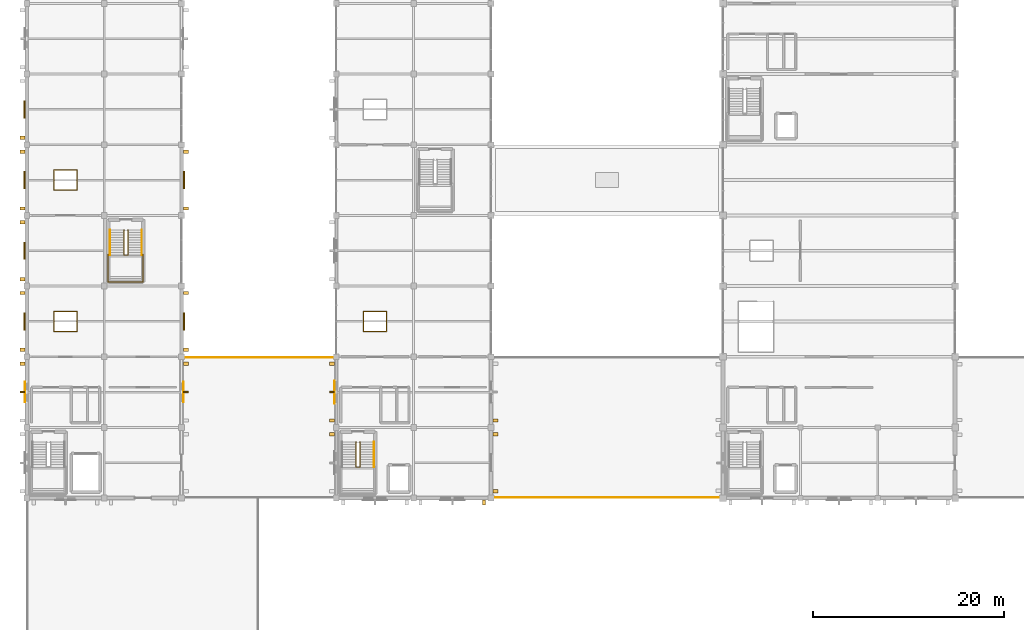
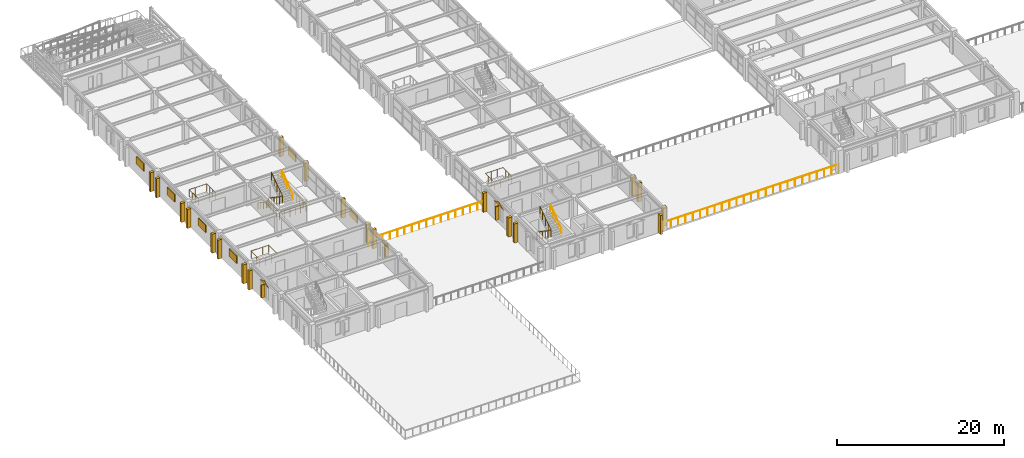
# One storey, part 112 of 121: 29 shading devices, 11 railings, 3 coverings.
"""IFC4 building model written with IfcOpenShell, lengths in metres."""

from ifc_helpers import new_model, si_unit, direction, frame, origin, origin_2d, place, context, subcontext, project, spatial, polyline, rectangle, circle, outline, extrude, material, layer, layer_set, type_object, element, save


model = new_model("IFC4")

# Units and contexts
model_context = context("Model", 3, precision=1e-05, world=origin(), true_north=direction((0.0, 1.0)))
body_context = subcontext(model_context, "Body", "Model", "MODEL_VIEW")
ifc_project = project(units=[si_unit("LENGTHUNIT", "METRE"), si_unit("AREAUNIT", "SQUARE_METRE"), si_unit("VOLUMEUNIT", "CUBIC_METRE"), si_unit("PLANEANGLEUNIT", "RADIAN"), si_unit("MASSUNIT", "GRAM", prefix="KILO")], contexts=[model_context])

# Site, building, storey
site_placement = place(None, origin())
site = spatial("IfcSite", under=ifc_project, at=site_placement, CompositionType="ELEMENT")
building_placement = place(site_placement, origin())
building = spatial("IfcBuilding", under=site, at=building_placement, Name="Cimatlan Art Gallery", CompositionType="ELEMENT")
storey_placement = place(building_placement, frame((0.0, 0.0, 10.199951171875)))
storey = spatial("IfcBuildingStorey", under=building, at=storey_placement, Name="L02", CompositionType="ELEMENT", Elevation=10.199951171875)

# Coverings
ifc_material_1 = material(Name="Queretaro cantera limestone ashlar hood-mould", Category="masonry")
ifc_layer = layer(ifc_material_1, 0.0419921875)
ifc_layer_set = layer_set([ifc_layer], Name="Queretaro cantera limestone ashlar hood-mould")
covering_type = type_object("IfcCoveringType", Name="COV-CLAD-CANTERA-42", PredefinedType="CLADDING", material=ifc_layer_set)
for number, where, z_axis, x_axis, name in (
    (1, (1.822021484375, 33.919921875, 2.489990234375), (1.0, 0.0, 0.0), (0.0, 1.0, 0.0), "CLD-040"),
    (2, (18.3779296875, 36.080078125, 2.489990234375), (-1.0, 0.0, 0.0), (0.0, -1.0, 0.0), "CLD-044"),
):
    element("IfcCovering", number, at=place(storey_placement, frame(where, z_axis=z_axis, x_axis=x_axis)), inside=storey, type_object=covering_type, Name=name, PredefinedType="CLADDING", context=body_context, shape_type="SweptSolid", body=[
        extrude(outline(polyline([(0.0, 0.0), (2.16015625, 0.0), (1.080078125, 0.52001953125), (0.0, 0.0)])), origin(), (0.0, 0.0, -1.0), 0.0419921875),
    ])
covering_placement = place(storey_placement, frame((34.221923828125, 33.800048828125, 2.630126953125), z_axis=(1.0, 0.0, 0.0), x_axis=(0.0, 1.0, 0.0)))
element("IfcCovering", 3, at=covering_placement, inside=storey, type_object=covering_type, Name="CLD-048", PredefinedType="CLADDING", context=body_context, shape_type="SweptSolid", body=[
    extrude(outline(polyline([(0.0, 0.0), (2.39990234375, 0.0), (1.199951171875, 0.52001953125), (0.0, 0.0)])), origin(), (0.0, 0.0, -1.0), 0.0419921875),
])

# Railings
ifc_material_2 = material(Name="Anodised bronze and laminated glass balustrade", Category="glass")
railing_type_1 = type_object("IfcRailingType", Name="RL-BAL-EXT-1100", PredefinedType="BALUSTRADE", material=ifc_material_2)
railing_1_placement = place(storey_placement, frame((18.239990234375, 38.6201171875, 0.0)))
element("IfcRailing", 4, at=railing_1_placement, inside=storey, type_object=railing_type_1, Name="GR-TER-07", PredefinedType="BALUSTRADE", context=body_context, shape_type="SweptSolid", body=[
    extrude(circle(Radius=0.02587890625, at=origin_2d()), frame((0.0, 0.0, 1.09423828125), z_axis=(1.0, 0.0, 0.0), x_axis=(0.0, 1.0, 0.0)), (0.0, 0.0, 1.0), 16.1201171875),
    extrude(circle(Radius=0.02099609375, at=origin_2d()), origin(), (0.0, 0.0, 1.0), 1.068115234375),
    extrude(circle(Radius=0.02099609375, at=origin_2d()), frame((1.007568359375, 0.0, 0.0)), (0.0, 0.0, 1.0), 1.068115234375),
    extrude(circle(Radius=0.02099609375, at=origin_2d()), frame((2.01513671875, 0.0, 0.0)), (0.0, 0.0, 1.0), 1.068115234375),
    extrude(circle(Radius=0.02099609375, at=origin_2d()), frame((3.0224609375, 0.0, 0.0)), (0.0, 0.0, 1.0), 1.068115234375),
    extrude(circle(Radius=0.02099609375, at=origin_2d()), frame((4.030029296875, 0.0, 0.0)), (0.0, 0.0, 1.0), 1.068115234375),
    extrude(circle(Radius=0.02099609375, at=origin_2d()), frame((5.03759765625, 0.0, 0.0)), (0.0, 0.0, 1.0), 1.068115234375),
    extrude(circle(Radius=0.02099609375, at=origin_2d()), frame((6.044921875, 0.0, 0.0)), (0.0, 0.0, 1.0), 1.068115234375),
    extrude(circle(Radius=0.02099609375, at=origin_2d()), frame((7.052490234375, 0.0, 0.0)), (0.0, 0.0, 1.0), 1.068115234375),
    extrude(circle(Radius=0.02099609375, at=origin_2d()), frame((8.06005859375, 0.0, 0.0)), (0.0, 0.0, 1.0), 1.068115234375),
    extrude(circle(Radius=0.02099609375, at=origin_2d()), frame((9.067626953125, 0.0, 0.0)), (0.0, 0.0, 1.0), 1.068115234375),
    extrude(circle(Radius=0.02099609375, at=origin_2d()), frame((10.0751953125, 0.0, 0.0)), (0.0, 0.0, 1.0), 1.068115234375),
    extrude(circle(Radius=0.02099609375, at=origin_2d()), frame((11.08251953125, 0.0, 0.0)), (0.0, 0.0, 1.0), 1.068115234375),
    extrude(circle(Radius=0.02099609375, at=origin_2d()), frame((12.090087890625, 0.0, 0.0)), (0.0, 0.0, 1.0), 1.068115234375),
    extrude(circle(Radius=0.02099609375, at=origin_2d()), frame((13.09765625, 0.0, 0.0)), (0.0, 0.0, 1.0), 1.068115234375),
    extrude(circle(Radius=0.02099609375, at=origin_2d()), frame((14.10498046875, 0.0, 0.0)), (0.0, 0.0, 1.0), 1.068115234375),
    extrude(circle(Radius=0.02099609375, at=origin_2d()), frame((15.112548828125, 0.0, 0.0)), (0.0, 0.0, 1.0), 1.068115234375),
    extrude(circle(Radius=0.02099609375, at=origin_2d()), frame((16.1201171875, 0.0, 0.0)), (0.0, 0.0, 1.0), 1.068115234375),
])
railing_2_placement = place(storey_placement, frame((50.639892578125, 23.97998046875, 0.0)))
element("IfcRailing", 5, at=railing_2_placement, inside=storey, type_object=railing_type_1, Name="GR-TER-08", PredefinedType="BALUSTRADE", context=body_context, shape_type="SweptSolid", body=[
    extrude(circle(Radius=0.02587890625, at=origin_2d()), frame((0.0, 0.0, 1.09423828125), z_axis=(1.0, 0.0, 0.0), x_axis=(0.0, 1.0, 0.0)), (0.0, 0.0, 1.0), 24.22021484375),
    extrude(circle(Radius=0.02099609375, at=origin_2d()), origin(), (0.0, 0.0, 1.0), 1.068115234375),
    extrude(circle(Radius=0.02099609375, at=origin_2d()), frame((1.00927734375, 0.0, 0.0)), (0.0, 0.0, 1.0), 1.068115234375),
    extrude(circle(Radius=0.02099609375, at=origin_2d()), frame((2.018310546875, 0.0, 0.0)), (0.0, 0.0, 1.0), 1.068115234375),
    extrude(circle(Radius=0.02099609375, at=origin_2d()), frame((3.027587890625, 0.0, 0.0)), (0.0, 0.0, 1.0), 1.068115234375),
    extrude(circle(Radius=0.02099609375, at=origin_2d()), frame((4.03662109375, 0.0, 0.0)), (0.0, 0.0, 1.0), 1.068115234375),
    extrude(circle(Radius=0.02099609375, at=origin_2d()), frame((5.0458984375, 0.0, 0.0)), (0.0, 0.0, 1.0), 1.068115234375),
    extrude(circle(Radius=0.02099609375, at=origin_2d()), frame((6.05517578125, 0.0, 0.0)), (0.0, 0.0, 1.0), 1.068115234375),
    extrude(circle(Radius=0.02099609375, at=origin_2d()), frame((7.064208984375, 0.0, 0.0)), (0.0, 0.0, 1.0), 1.068115234375),
    extrude(circle(Radius=0.02099609375, at=origin_2d()), frame((8.073486328125, 0.0, 0.0)), (0.0, 0.0, 1.0), 1.068115234375),
    extrude(circle(Radius=0.02099609375, at=origin_2d()), frame((9.08251953125, 0.0, 0.0)), (0.0, 0.0, 1.0), 1.068115234375),
    extrude(circle(Radius=0.02099609375, at=origin_2d()), frame((10.091796875, 0.0, 0.0)), (0.0, 0.0, 1.0), 1.068115234375),
    extrude(circle(Radius=0.02099609375, at=origin_2d()), frame((11.100830078125, 0.0, 0.0)), (0.0, 0.0, 1.0), 1.068115234375),
    extrude(circle(Radius=0.02099609375, at=origin_2d()), frame((12.110107421875, 0.0, 0.0)), (0.0, 0.0, 1.0), 1.068115234375),
    extrude(circle(Radius=0.02099609375, at=origin_2d()), frame((13.119384765625, 0.0, 0.0)), (0.0, 0.0, 1.0), 1.068115234375),
    extrude(circle(Radius=0.02099609375, at=origin_2d()), frame((14.12841796875, 0.0, 0.0)), (0.0, 0.0, 1.0), 1.068115234375),
    extrude(circle(Radius=0.02099609375, at=origin_2d()), frame((15.1376953125, 0.0, 0.0)), (0.0, 0.0, 1.0), 1.068115234375),
    extrude(circle(Radius=0.02099609375, at=origin_2d()), frame((16.146728515625, 0.0, 0.0)), (0.0, 0.0, 1.0), 1.068115234375),
    extrude(circle(Radius=0.02099609375, at=origin_2d()), frame((17.156005859375, 0.0, 0.0)), (0.0, 0.0, 1.0), 1.068115234375),
    extrude(circle(Radius=0.02099609375, at=origin_2d()), frame((18.1650390625, 0.0, 0.0)), (0.0, 0.0, 1.0), 1.068115234375),
    extrude(circle(Radius=0.02099609375, at=origin_2d()), frame((19.17431640625, 0.0, 0.0)), (0.0, 0.0, 1.0), 1.068115234375),
    extrude(circle(Radius=0.02099609375, at=origin_2d()), frame((20.18359375, 0.0, 0.0)), (0.0, 0.0, 1.0), 1.068115234375),
    extrude(circle(Radius=0.02099609375, at=origin_2d()), frame((21.192626953125, 0.0, 0.0)), (0.0, 0.0, 1.0), 1.068115234375),
    extrude(circle(Radius=0.02099609375, at=origin_2d()), frame((22.201904296875, 0.0, 0.0)), (0.0, 0.0, 1.0), 1.068115234375),
    extrude(circle(Radius=0.02099609375, at=origin_2d()), frame((23.2109375, 0.0, 0.0)), (0.0, 0.0, 1.0), 1.068115234375),
    extrude(circle(Radius=0.02099609375, at=origin_2d()), frame((24.22021484375, 0.0, 0.0)), (0.0, 0.0, 1.0), 1.068115234375),
])
ifc_material_3 = material(Name="Painted steel and bronze interior balustrade", Category="steel")
railing_type_2 = type_object("IfcRailingType", Name="RL-BAL-INT-1120", PredefinedType="BALUSTRADE", material=ifc_material_3)
railing_3_placement = place(storey_placement, frame((36.469970703125, 29.780029296875, 0.0)))
element("IfcRailing", 6, at=railing_3_placement, inside=storey, type_object=railing_type_2, Name="STR-C2-L02-GRD", PredefinedType="BALUSTRADE", context=body_context, shape_type="SweptSolid", body=[
    extrude(circle(Radius=0.02392578125, at=origin_2d()), frame((0.0, 0.0, 1.09619140625), z_axis=(0.0, -0.827224042694, 0.561872212509), x_axis=(1.0, 0.0, 0.0)), (0.0, 0.0, 1.0), 3.20361328125),
    extrude(circle(Radius=0.02392578125, at=origin_2d()), frame((0.0, -2.650146484375, 2.89599609375), z_axis=(1.0, 0.0, 0.0), x_axis=(0.0, 1.0, 0.0)), (0.0, 0.0, 1.0), 0.400146484375),
    extrude(circle(Radius=0.02392578125, at=origin_2d()), frame((0.400146484375, -2.650146484375, 2.89599609375), z_axis=(0.0, 0.827224042694, 0.561872212509), x_axis=(-1.0, 0.0, 0.0)), (0.0, 0.0, 1.0), 3.20361328125),
    extrude(circle(Radius=0.02001953125, at=origin_2d()), origin(), (0.0, 0.0, 1.0), 1.072021484375),
    extrude(circle(Radius=0.02001953125, at=origin_2d()), frame((0.0, -0.66259765625, 0.449951171875)), (0.0, 0.0, 1.0), 1.072021484375),
    extrude(circle(Radius=0.02001953125, at=origin_2d()), frame((0.0, -1.3251953125, 0.89990234375)), (0.0, 0.0, 1.0), 1.072021484375),
    extrude(circle(Radius=0.02001953125, at=origin_2d()), frame((0.0, -1.987548828125, 1.35009765625)), (0.0, 0.0, 1.0), 1.072021484375),
    extrude(circle(Radius=0.02001953125, at=origin_2d()), frame((0.0, -2.650146484375, 1.800048828125)), (0.0, 0.0, 1.0), 1.072021484375),
    extrude(circle(Radius=0.02001953125, at=origin_2d()), frame((0.400146484375, -2.650146484375, 1.800048828125)), (0.0, 0.0, 1.0), 1.072021484375),
    extrude(circle(Radius=0.02001953125, at=origin_2d()), frame((0.400146484375, -1.987548828125, 2.25)), (0.0, 0.0, 1.0), 1.072021484375),
    extrude(circle(Radius=0.02001953125, at=origin_2d()), frame((0.400146484375, -1.3251953125, 2.7001953125)), (0.0, 0.0, 1.0), 1.072021484375),
    extrude(circle(Radius=0.02001953125, at=origin_2d()), frame((0.400146484375, -0.66259765625, 3.150146484375)), (0.0, 0.0, 1.0), 1.072021484375),
    extrude(circle(Radius=0.02001953125, at=origin_2d()), frame((0.400146484375, 0.0, 3.60009765625)), (0.0, 0.0, 1.0), 1.072021484375),
])
railing_4_placement = place(storey_placement, frame((10.510009765625, 49.43994140625, 1.800048828125)))
element("IfcRailing", 7, at=railing_4_placement, inside=storey, type_object=railing_type_2, Name="STR-C7-L02-LGRD", PredefinedType="BALUSTRADE", context=body_context, shape_type="SweptSolid", body=[
    extrude(circle(Radius=0.02392578125, at=origin_2d()), frame((0.0, 0.0, 1.09619140625), z_axis=(0.0, -1.0, 0.0), x_axis=(1.0, 0.0, 0.0)), (0.0, 0.0, 1.0), 2.929931640625),
    extrude(circle(Radius=0.02392578125, at=origin_2d()), frame((0.0, -2.929931640625, 1.09619140625), z_axis=(1.0, 0.0, 0.0), x_axis=(0.0, 1.0, 0.0)), (0.0, 0.0, 1.0), 3.669921875),
    extrude(circle(Radius=0.02392578125, at=origin_2d()), frame((3.669921875, -2.929931640625, 1.09619140625), z_axis=(0.0, 1.0, 0.0), x_axis=(-1.0, 0.0, 0.0)), (0.0, 0.0, 1.0), 2.929931640625),
    extrude(circle(Radius=0.02001953125, at=origin_2d()), origin(), (0.0, 0.0, 1.0), 1.072021484375),
    extrude(circle(Radius=0.02001953125, at=origin_2d()), frame((0.0, -0.732421875, 0.0)), (0.0, 0.0, 1.0), 1.072021484375),
    extrude(circle(Radius=0.02001953125, at=origin_2d()), frame((0.0, -1.46484375, 0.0)), (0.0, 0.0, 1.0), 1.072021484375),
    extrude(circle(Radius=0.02001953125, at=origin_2d()), frame((0.0, -2.197509765625, 0.0)), (0.0, 0.0, 1.0), 1.072021484375),
    extrude(circle(Radius=0.02001953125, at=origin_2d()), frame((0.0, -2.929931640625, 0.0)), (0.0, 0.0, 1.0), 1.072021484375),
    extrude(circle(Radius=0.02001953125, at=origin_2d()), frame((0.73388671875, -2.929931640625, 0.0)), (0.0, 0.0, 1.0), 1.072021484375),
    extrude(circle(Radius=0.02001953125, at=origin_2d()), frame((1.468017578125, -2.929931640625, 0.0)), (0.0, 0.0, 1.0), 1.072021484375),
    extrude(circle(Radius=0.02001953125, at=origin_2d()), frame((2.201904296875, -2.929931640625, 0.0)), (0.0, 0.0, 1.0), 1.072021484375),
    extrude(circle(Radius=0.02001953125, at=origin_2d()), frame((2.93603515625, -2.929931640625, 0.0)), (0.0, 0.0, 1.0), 1.072021484375),
    extrude(circle(Radius=0.02001953125, at=origin_2d()), frame((3.669921875, -2.929931640625, 0.0)), (0.0, 0.0, 1.0), 1.072021484375),
    extrude(circle(Radius=0.02001953125, at=origin_2d()), frame((3.669921875, -2.197509765625, 0.0)), (0.0, 0.0, 1.0), 1.072021484375),
    extrude(circle(Radius=0.02001953125, at=origin_2d()), frame((3.669921875, -1.46484375, 0.0)), (0.0, 0.0, 1.0), 1.072021484375),
    extrude(circle(Radius=0.02001953125, at=origin_2d()), frame((3.669921875, -0.732421875, 0.0)), (0.0, 0.0, 1.0), 1.072021484375),
    extrude(circle(Radius=0.02001953125, at=origin_2d()), frame((3.669921875, 0.0, 0.0)), (0.0, 0.0, 1.0), 1.072021484375),
])
railing_5_placement = place(storey_placement, frame((12.169921875, 51.97998046875, 0.0)))
element("IfcRailing", 8, at=railing_5_placement, inside=storey, type_object=railing_type_2, Name="STR-C7-L02-GRD", PredefinedType="BALUSTRADE", context=body_context, shape_type="SweptSolid", body=[
    extrude(circle(Radius=0.02392578125, at=origin_2d()), frame((0.0, 0.0, 1.09619140625), z_axis=(0.0, -0.827199981925, 0.561907634672), x_axis=(1.0, 0.0, 0.0)), (0.0, 0.0, 1.0), 3.203369140625),
    extrude(circle(Radius=0.02392578125, at=origin_2d()), frame((0.0, -2.64990234375, 2.89599609375), z_axis=(1.0, 0.0, 0.0), x_axis=(0.0, 1.0, 0.0)), (0.0, 0.0, 1.0), 0.400146484375),
    extrude(circle(Radius=0.02392578125, at=origin_2d()), frame((0.400146484375, -2.64990234375, 2.89599609375), z_axis=(0.0, 0.827199981925, 0.561907634672), x_axis=(-1.0, 0.0, 0.0)), (0.0, 0.0, 1.0), 3.203369140625),
    extrude(circle(Radius=0.02001953125, at=origin_2d()), origin(), (0.0, 0.0, 1.0), 1.072021484375),
    extrude(circle(Radius=0.02001953125, at=origin_2d()), frame((0.0, -0.66259765625, 0.449951171875)), (0.0, 0.0, 1.0), 1.072021484375),
    extrude(circle(Radius=0.02001953125, at=origin_2d()), frame((0.0, -1.324951171875, 0.89990234375)), (0.0, 0.0, 1.0), 1.072021484375),
    extrude(circle(Radius=0.02001953125, at=origin_2d()), frame((0.0, -1.9873046875, 1.35009765625)), (0.0, 0.0, 1.0), 1.072021484375),
    extrude(circle(Radius=0.02001953125, at=origin_2d()), frame((0.0, -2.64990234375, 1.800048828125)), (0.0, 0.0, 1.0), 1.072021484375),
    extrude(circle(Radius=0.02001953125, at=origin_2d()), frame((0.400146484375, -2.64990234375, 1.800048828125)), (0.0, 0.0, 1.0), 1.072021484375),
    extrude(circle(Radius=0.02001953125, at=origin_2d()), frame((0.400146484375, -1.9873046875, 2.25)), (0.0, 0.0, 1.0), 1.072021484375),
    extrude(circle(Radius=0.02001953125, at=origin_2d()), frame((0.400146484375, -1.324951171875, 2.7001953125)), (0.0, 0.0, 1.0), 1.072021484375),
    extrude(circle(Radius=0.02001953125, at=origin_2d()), frame((0.400146484375, -0.66259765625, 3.150146484375)), (0.0, 0.0, 1.0), 1.072021484375),
    extrude(circle(Radius=0.02001953125, at=origin_2d()), frame((0.400146484375, 0.0, 3.60009765625)), (0.0, 0.0, 1.0), 1.072021484375),
])
railing_6_placement = place(storey_placement, frame((4.840087890625, 41.340087890625, 0.0)))
element("IfcRailing", 9, at=railing_6_placement, inside=storey, type_object=railing_type_2, Name="GR-OCU-L02-B1S", PredefinedType="BALUSTRADE", context=body_context, shape_type="SweptSolid", body=[
    extrude(circle(Radius=0.02392578125, at=origin_2d()), frame((0.0, 0.0, 1.09619140625), z_axis=(1.0, 0.0, 0.0), x_axis=(0.0, 1.0, 0.0)), (0.0, 0.0, 1.0), 2.419921875),
    extrude(circle(Radius=0.02392578125, at=origin_2d()), frame((2.419921875, 0.0, 1.09619140625), z_axis=(0.0, 1.0, 0.0), x_axis=(-1.0, 0.0, 0.0)), (0.0, 0.0, 1.0), 2.119873046875),
    extrude(circle(Radius=0.02392578125, at=origin_2d()), frame((2.419921875, 2.119873046875, 1.09619140625), z_axis=(-1.0, 0.0, 0.0), x_axis=(0.0, -1.0, 0.0)), (0.0, 0.0, 1.0), 2.419921875),
    extrude(circle(Radius=0.02392578125, at=origin_2d()), frame((0.0, 2.119873046875, 1.09619140625), z_axis=(0.0, -1.0, 0.0), x_axis=(1.0, 0.0, 0.0)), (0.0, 0.0, 1.0), 2.080078125),
    extrude(circle(Radius=0.02001953125, at=origin_2d()), origin(), (0.0, 0.0, 1.0), 1.072021484375),
    extrude(circle(Radius=0.02001953125, at=origin_2d()), frame((0.806640625, 0.0, 0.0)), (0.0, 0.0, 1.0), 1.072021484375),
    extrude(circle(Radius=0.02001953125, at=origin_2d()), frame((1.61328125, 0.0, 0.0)), (0.0, 0.0, 1.0), 1.072021484375),
    extrude(circle(Radius=0.02001953125, at=origin_2d()), frame((2.419921875, 0.0, 0.0)), (0.0, 0.0, 1.0), 1.072021484375),
    extrude(circle(Radius=0.02001953125, at=origin_2d()), frame((2.419921875, 0.70654296875, 0.0)), (0.0, 0.0, 1.0), 1.072021484375),
    extrude(circle(Radius=0.02001953125, at=origin_2d()), frame((2.419921875, 1.413330078125, 0.0)), (0.0, 0.0, 1.0), 1.072021484375),
    extrude(circle(Radius=0.02001953125, at=origin_2d()), frame((2.419921875, 2.119873046875, 0.0)), (0.0, 0.0, 1.0), 1.072021484375),
    extrude(circle(Radius=0.02001953125, at=origin_2d()), frame((1.61328125, 2.119873046875, 0.0)), (0.0, 0.0, 1.0), 1.072021484375),
    extrude(circle(Radius=0.02001953125, at=origin_2d()), frame((0.806640625, 2.119873046875, 0.0)), (0.0, 0.0, 1.0), 1.072021484375),
    extrude(circle(Radius=0.02001953125, at=origin_2d()), frame((0.0, 2.119873046875, 0.0)), (0.0, 0.0, 1.0), 1.072021484375),
    extrude(circle(Radius=0.02001953125, at=origin_2d()), frame((0.0, 1.426513671875, 0.0)), (0.0, 0.0, 1.0), 1.072021484375),
    extrude(circle(Radius=0.02001953125, at=origin_2d()), frame((0.0, 0.733154296875, 0.0)), (0.0, 0.0, 1.0), 1.072021484375),
    extrude(circle(Radius=0.02001953125, at=origin_2d()), frame((0.0, 0.039794921875, 0.0)), (0.0, 0.0, 1.0), 1.072021484375),
])
railing_7_placement = place(storey_placement, frame((4.840087890625, 56.139892578125, 0.0)))
element("IfcRailing", 10, at=railing_7_placement, inside=storey, type_object=railing_type_2, Name="GR-OCU-L02-B1N", PredefinedType="BALUSTRADE", context=body_context, shape_type="SweptSolid", body=[
    extrude(circle(Radius=0.02392578125, at=origin_2d()), frame((0.0, 0.0, 1.09619140625), z_axis=(1.0, 0.0, 0.0), x_axis=(0.0, 1.0, 0.0)), (0.0, 0.0, 1.0), 2.419921875),
    extrude(circle(Radius=0.02392578125, at=origin_2d()), frame((2.419921875, 0.0, 1.09619140625), z_axis=(0.0, 1.0, 0.0), x_axis=(-1.0, 0.0, 0.0)), (0.0, 0.0, 1.0), 2.1201171875),
    extrude(circle(Radius=0.02392578125, at=origin_2d()), frame((2.419921875, 2.1201171875, 1.09619140625), z_axis=(-1.0, 0.0, 0.0), x_axis=(0.0, -1.0, 0.0)), (0.0, 0.0, 1.0), 2.419921875),
    extrude(circle(Radius=0.02392578125, at=origin_2d()), frame((0.0, 2.1201171875, 1.09619140625), z_axis=(0.0, -1.0, 0.0), x_axis=(1.0, 0.0, 0.0)), (0.0, 0.0, 1.0), 2.080078125),
    extrude(circle(Radius=0.02001953125, at=origin_2d()), origin(), (0.0, 0.0, 1.0), 1.072021484375),
    extrude(circle(Radius=0.02001953125, at=origin_2d()), frame((0.806640625, 0.0, 0.0)), (0.0, 0.0, 1.0), 1.072021484375),
    extrude(circle(Radius=0.02001953125, at=origin_2d()), frame((1.61328125, 0.0, 0.0)), (0.0, 0.0, 1.0), 1.072021484375),
    extrude(circle(Radius=0.02001953125, at=origin_2d()), frame((2.419921875, 0.0, 0.0)), (0.0, 0.0, 1.0), 1.072021484375),
    extrude(circle(Radius=0.02001953125, at=origin_2d()), frame((2.419921875, 0.706787109375, 0.0)), (0.0, 0.0, 1.0), 1.072021484375),
    extrude(circle(Radius=0.02001953125, at=origin_2d()), frame((2.419921875, 1.413330078125, 0.0)), (0.0, 0.0, 1.0), 1.072021484375),
    extrude(circle(Radius=0.02001953125, at=origin_2d()), frame((2.419921875, 2.1201171875, 0.0)), (0.0, 0.0, 1.0), 1.072021484375),
    extrude(circle(Radius=0.02001953125, at=origin_2d()), frame((1.61328125, 2.1201171875, 0.0)), (0.0, 0.0, 1.0), 1.072021484375),
    extrude(circle(Radius=0.02001953125, at=origin_2d()), frame((0.806640625, 2.1201171875, 0.0)), (0.0, 0.0, 1.0), 1.072021484375),
    extrude(circle(Radius=0.02001953125, at=origin_2d()), frame((0.0, 2.1201171875, 0.0)), (0.0, 0.0, 1.0), 1.072021484375),
    extrude(circle(Radius=0.02001953125, at=origin_2d()), frame((0.0, 1.4267578125, 0.0)), (0.0, 0.0, 1.0), 1.072021484375),
    extrude(circle(Radius=0.02001953125, at=origin_2d()), frame((0.0, 0.7333984375, 0.0)), (0.0, 0.0, 1.0), 1.072021484375),
    extrude(circle(Radius=0.02001953125, at=origin_2d()), frame((0.0, 0.0400390625, 0.0)), (0.0, 0.0, 1.0), 1.072021484375),
])
railing_8_placement = place(storey_placement, frame((37.239990234375, 41.340087890625, 0.0)))
element("IfcRailing", 11, at=railing_8_placement, inside=storey, type_object=railing_type_2, Name="GR-OCU-L02-B2S", PredefinedType="BALUSTRADE", context=body_context, shape_type="SweptSolid", body=[
    extrude(circle(Radius=0.02392578125, at=origin_2d()), frame((0.0, 0.0, 1.09619140625), z_axis=(1.0, 0.0, 0.0), x_axis=(0.0, 1.0, 0.0)), (0.0, 0.0, 1.0), 2.419921875),
    extrude(circle(Radius=0.02392578125, at=origin_2d()), frame((2.419921875, 0.0, 1.09619140625), z_axis=(0.0, 1.0, 0.0), x_axis=(-1.0, 0.0, 0.0)), (0.0, 0.0, 1.0), 2.119873046875),
    extrude(circle(Radius=0.02392578125, at=origin_2d()), frame((2.419921875, 2.119873046875, 1.09619140625), z_axis=(-1.0, 0.0, 0.0), x_axis=(0.0, -1.0, 0.0)), (0.0, 0.0, 1.0), 2.419921875),
    extrude(circle(Radius=0.02392578125, at=origin_2d()), frame((0.0, 2.119873046875, 1.09619140625), z_axis=(0.0, -1.0, 0.0), x_axis=(1.0, 0.0, 0.0)), (0.0, 0.0, 1.0), 2.080078125),
    extrude(circle(Radius=0.02001953125, at=origin_2d()), origin(), (0.0, 0.0, 1.0), 1.072021484375),
    extrude(circle(Radius=0.02001953125, at=origin_2d()), frame((0.806640625, 0.0, 0.0)), (0.0, 0.0, 1.0), 1.072021484375),
    extrude(circle(Radius=0.02001953125, at=origin_2d()), frame((1.61328125, 0.0, 0.0)), (0.0, 0.0, 1.0), 1.072021484375),
    extrude(circle(Radius=0.02001953125, at=origin_2d()), frame((2.419921875, 0.0, 0.0)), (0.0, 0.0, 1.0), 1.072021484375),
    extrude(circle(Radius=0.02001953125, at=origin_2d()), frame((2.419921875, 0.70654296875, 0.0)), (0.0, 0.0, 1.0), 1.072021484375),
    extrude(circle(Radius=0.02001953125, at=origin_2d()), frame((2.419921875, 1.413330078125, 0.0)), (0.0, 0.0, 1.0), 1.072021484375),
    extrude(circle(Radius=0.02001953125, at=origin_2d()), frame((2.419921875, 2.119873046875, 0.0)), (0.0, 0.0, 1.0), 1.072021484375),
    extrude(circle(Radius=0.02001953125, at=origin_2d()), frame((1.61328125, 2.119873046875, 0.0)), (0.0, 0.0, 1.0), 1.072021484375),
    extrude(circle(Radius=0.02001953125, at=origin_2d()), frame((0.806640625, 2.119873046875, 0.0)), (0.0, 0.0, 1.0), 1.072021484375),
    extrude(circle(Radius=0.02001953125, at=origin_2d()), frame((0.0, 2.119873046875, 0.0)), (0.0, 0.0, 1.0), 1.072021484375),
    extrude(circle(Radius=0.02001953125, at=origin_2d()), frame((0.0, 1.426513671875, 0.0)), (0.0, 0.0, 1.0), 1.072021484375),
    extrude(circle(Radius=0.02001953125, at=origin_2d()), frame((0.0, 0.733154296875, 0.0)), (0.0, 0.0, 1.0), 1.072021484375),
    extrude(circle(Radius=0.02001953125, at=origin_2d()), frame((0.0, 0.039794921875, 0.0)), (0.0, 0.0, 1.0), 1.072021484375),
])
ifc_material_4 = material(Name="Brushed bronze stair handrail")
railing_type_3 = type_object("IfcRailingType", Name="RL-HND-INT-920", PredefinedType="HANDRAIL", material=ifc_material_4)
railing_9_placement = place(storey_placement, frame((38.330078125, 27.1298828125, 1.800048828125)))
element("IfcRailing", 12, at=railing_9_placement, inside=storey, type_object=railing_type_3, Name="STR-C2-L02-HR2", PredefinedType="HANDRAIL", context=body_context, shape_type="SweptSolid", body=[
    extrude(circle(Radius=0.02197265625, at=origin_2d()), frame((0.0, 0.0, 0.89794921875), z_axis=(0.0, 0.827224042694, 0.561872212509), x_axis=(-1.0, 0.0, 0.0)), (0.0, 0.0, 1.0), 3.20361328125),
    extrude(circle(Radius=0.01904296875, at=origin_2d()), origin(), (0.0, 0.0, 1.0), 0.8759765625),
    extrude(circle(Radius=0.01904296875, at=origin_2d()), frame((0.0, 0.66259765625, 0.449951171875)), (0.0, 0.0, 1.0), 0.8759765625),
    extrude(circle(Radius=0.01904296875, at=origin_2d()), frame((0.0, 1.3251953125, 0.89990234375)), (0.0, 0.0, 1.0), 0.8759765625),
    extrude(circle(Radius=0.01904296875, at=origin_2d()), frame((0.0, 1.987548828125, 1.35009765625)), (0.0, 0.0, 1.0), 0.8759765625),
    extrude(circle(Radius=0.01904296875, at=origin_2d()), frame((0.0, 2.650146484375, 1.800048828125)), (0.0, 0.0, 1.0), 0.8759765625),
])
railing_10_placement = place(storey_placement, frame((10.7099609375, 51.97998046875, 0.0)))
element("IfcRailing", 13, at=railing_10_placement, inside=storey, type_object=railing_type_3, Name="STR-C7-L02-HR1", PredefinedType="HANDRAIL", context=body_context, shape_type="SweptSolid", body=[
    extrude(circle(Radius=0.02197265625, at=origin_2d()), frame((0.0, 0.0, 0.89794921875), z_axis=(0.0, -0.827199981925, 0.561907634672), x_axis=(1.0, 0.0, 0.0)), (0.0, 0.0, 1.0), 3.203369140625),
    extrude(circle(Radius=0.01904296875, at=origin_2d()), origin(), (0.0, 0.0, 1.0), 0.8759765625),
    extrude(circle(Radius=0.01904296875, at=origin_2d()), frame((0.0, -0.66259765625, 0.449951171875)), (0.0, 0.0, 1.0), 0.8759765625),
    extrude(circle(Radius=0.01904296875, at=origin_2d()), frame((0.0, -1.324951171875, 0.89990234375)), (0.0, 0.0, 1.0), 0.8759765625),
    extrude(circle(Radius=0.01904296875, at=origin_2d()), frame((0.0, -1.9873046875, 1.35009765625)), (0.0, 0.0, 1.0), 0.8759765625),
    extrude(circle(Radius=0.01904296875, at=origin_2d()), frame((0.0, -2.64990234375, 1.800048828125)), (0.0, 0.0, 1.0), 0.8759765625),
])
railing_11_placement = place(storey_placement, frame((14.030029296875, 49.330078125, 1.800048828125)))
element("IfcRailing", 14, at=railing_11_placement, inside=storey, type_object=railing_type_3, Name="STR-C7-L02-HR2", PredefinedType="HANDRAIL", context=body_context, shape_type="SweptSolid", body=[
    extrude(circle(Radius=0.02197265625, at=origin_2d()), frame((0.0, 0.0, 0.89794921875), z_axis=(0.0, 0.827199981925, 0.561907634672), x_axis=(-1.0, 0.0, 0.0)), (0.0, 0.0, 1.0), 3.203369140625),
    extrude(circle(Radius=0.01904296875, at=origin_2d()), origin(), (0.0, 0.0, 1.0), 0.8759765625),
    extrude(circle(Radius=0.01904296875, at=origin_2d()), frame((0.0, 0.66259765625, 0.449951171875)), (0.0, 0.0, 1.0), 0.8759765625),
    extrude(circle(Radius=0.01904296875, at=origin_2d()), frame((0.0, 1.324951171875, 0.89990234375)), (0.0, 0.0, 1.0), 0.8759765625),
    extrude(circle(Radius=0.01904296875, at=origin_2d()), frame((0.0, 1.9873046875, 1.35009765625)), (0.0, 0.0, 1.0), 0.8759765625),
    extrude(circle(Radius=0.01904296875, at=origin_2d()), frame((0.0, 2.64990234375, 1.800048828125)), (0.0, 0.0, 1.0), 0.8759765625),
])

# Shading devices
ifc_material_5 = material(Name="Queretaro cantera limestone buttress pilaster", Category="masonry")
shading_device_type_1 = type_object("IfcShadingDeviceType", Name="SHD-BUT-520", PredefinedType="USERDEFINED", material=ifc_material_5)
for number, where, z_axis, x_axis, name in (
    (15, (1.5419921875, 37.97607421875, 0.06005859375), (0.0, 0.0, 1.0), (0.0, 1.0, 0.0), "BUT-0220"),
    (16, (1.5595703125, 39.424072265625, 0.06005859375), (0.0, 0.0, 1.0), (0.0, 1.0, 0.0), "BUT-0221"),
    (17, (1.5595703125, 45.3759765625, 0.06005859375), (0.0, 0.0, 1.0), (0.0, 1.0, 0.0), "BUT-0222"),
    (18, (1.5595703125, 46.823974609375, 0.06005859375), (0.0, 0.0, 1.0), (0.0, 1.0, 0.0), "BUT-0223"),
    (19, (1.5595703125, 52.77587890625, 0.06005859375), (0.0, 0.0, 1.0), (0.0, 1.0, 0.0), "BUT-0224"),
    (20, (1.5595703125, 54.22412109375, 0.06005859375), (0.0, 0.0, 1.0), (0.0, 1.0, 0.0), "BUT-0225"),
    (21, (1.5595703125, 60.176025390625, 0.06005859375), (0.0, 0.0, 1.0), (0.0, 1.0, 0.0), "BUT-0226"),
    (22, (1.5595703125, 61.6240234375, 0.06005859375), (0.0, 0.0, 1.0), (0.0, 1.0, 0.0), "BUT-0227"),
    (23, (18.657958984375, 37.97607421875, 0.06005859375), (0.0, 0.0, 1.0), (0.0, -1.0, 0.0), "BUT-0239"),
    (24, (18.640380859375, 45.3759765625, 0.06005859375), (0.0, 0.0, 1.0), (0.0, -1.0, 0.0), "BUT-0241"),
    (25, (18.640380859375, 39.424072265625, 0.06005859375), (0.0, 0.0, 1.0), (0.0, -1.0, 0.0), "BUT-0242"),
    (26, (18.640380859375, 60.176025390625, 0.06005859375), (0.0, 0.0, 1.0), (0.0, -1.0, 0.0), "BUT-0243"),
    (27, (18.640380859375, 54.22412109375, 0.06005859375), (0.0, 0.0, 1.0), (0.0, -1.0, 0.0), "BUT-0244"),
    (28, (33.94189453125, 30.575927734375, 0.06005859375), (0.0, 0.0, 1.0), (0.0, 1.0, 0.0), "BUT-0252"),
    (29, (33.94189453125, 32.02392578125, 0.06005859375), (0.0, 0.0, 1.0), (0.0, 1.0, 0.0), "BUT-0253"),
    (30, (33.94189453125, 37.97607421875, 0.06005859375), (0.0, 0.0, 1.0), (0.0, 1.0, 0.0), "BUT-0254"),
    (31, (49.8759765625, 23.44189453125, 0.06005859375), (0.0, 0.0, 1.0), (-1.0, 0.0, 0.0), "BUT-0263"),
    (32, (51.05810546875, 30.575927734375, 0.06005859375), (0.0, 0.0, 1.0), (0.0, -1.0, 0.0), "BUT-0265"),
    (33, (51.05810546875, 24.6240234375, 0.06005859375), (0.0, 0.0, 1.0), (0.0, -1.0, 0.0), "BUT-0266"),
    (34, (51.05810546875, 32.02392578125, 0.06005859375), (0.0, 0.0, 1.0), (0.0, -1.0, 0.0), "BUT-0268"),
):
    element("IfcShadingDevice", number, at=place(storey_placement, frame(where, z_axis=z_axis, x_axis=x_axis)), inside=storey, type_object=shading_device_type_1, Name=name, ObjectType="FIN", PredefinedType="USERDEFINED", context=body_context, shape_type="SweptSolid", body=[
        extrude(rectangle(XDim=0.340087890625, YDim=0.52001953125, at=origin_2d()), origin(), (0.0, 0.0, 1.0), 2.778076171875),
    ])
ifc_material_6 = material(Name="Queretaro cantera limestone lancet mullion fin", Category="masonry")
shading_device_type_2 = type_object("IfcShadingDeviceType", Name="SHD-FIN-480", PredefinedType="USERDEFINED", material=ifc_material_6)
for number, where, z_axis, x_axis, name in (
    (35, (1.56201171875, 35.0, 0.60009765625), (0.0, 0.0, 1.0), (0.0, 1.0, 0.0), "FIN-062"),
    (36, (18.637939453125, 35.0, 0.60009765625), (0.0, 0.0, 1.0), (0.0, -1.0, 0.0), "FIN-066"),
):
    element("IfcShadingDevice", number, at=place(storey_placement, frame(where, z_axis=z_axis, x_axis=x_axis)), inside=storey, type_object=shading_device_type_2, Name=name, ObjectType="FIN", PredefinedType="USERDEFINED", context=body_context, shape_type="SweptSolid", body=[
        extrude(rectangle(XDim=0.159912109375, YDim=0.47998046875, at=origin_2d()), origin(), (0.0, 0.0, 1.0), 1.860107421875),
    ])
shading_device_placement = place(storey_placement, frame((33.9619140625, 35.0, 0.60009765625), z_axis=(0.0, 0.0, 1.0), x_axis=(0.0, 1.0, 0.0)))
element("IfcShadingDevice", 37, at=shading_device_placement, inside=storey, type_object=shading_device_type_2, Name="FIN-070", ObjectType="FIN", PredefinedType="USERDEFINED", context=body_context, shape_type="SweptSolid", body=[
    extrude(rectangle(XDim=0.159912109375, YDim=0.47998046875, at=origin_2d()), origin(), (0.0, 0.0, 1.0), 2.0),
])
ifc_material_7 = material(Name="Anodised bronze acoustic weather louvre")
shading_device_type_3 = type_object("IfcShadingDeviceType", Name="SHD-LVR-1800", PredefinedType="USERDEFINED", material=ifc_material_7)
for number, where, z_axis, x_axis, name in (
    (38, (1.74951171875, 42.39990234375, 1.550048828125), (0.0, 0.0, 1.0), (0.0, 1.0, 0.0), "LVR-007"),
    (39, (1.74951171875, 49.800048828125, 1.550048828125), (0.0, 0.0, 1.0), (0.0, 1.0, 0.0), "LVR-008"),
    (40, (1.74951171875, 57.199951171875, 1.550048828125), (0.0, 0.0, 1.0), (0.0, 1.0, 0.0), "LVR-009"),
    (41, (1.74951171875, 64.60009765625, 1.550048828125), (0.0, 0.0, 1.0), (0.0, 1.0, 0.0), "LVR-010"),
    (42, (18.450439453125, 42.39990234375, 1.550048828125), (0.0, 0.0, 1.0), (0.0, -1.0, 0.0), "LVR-011"),
    (43, (18.450439453125, 57.199951171875, 1.550048828125), (0.0, 0.0, 1.0), (0.0, -1.0, 0.0), "LVR-012"),
):
    element("IfcShadingDevice", number, at=place(storey_placement, frame(where, z_axis=z_axis, x_axis=x_axis)), inside=storey, type_object=shading_device_type_3, Name=name, ObjectType="LOUVRE", PredefinedType="USERDEFINED", context=body_context, shape_type="SweptSolid", body=[
        extrude(rectangle(XDim=1.800048828125, YDim=0.139892578125, at=origin_2d()), origin(), (0.0, 0.0, 1.0), 1.10009765625),
    ])

save(model, "model.ifc")
